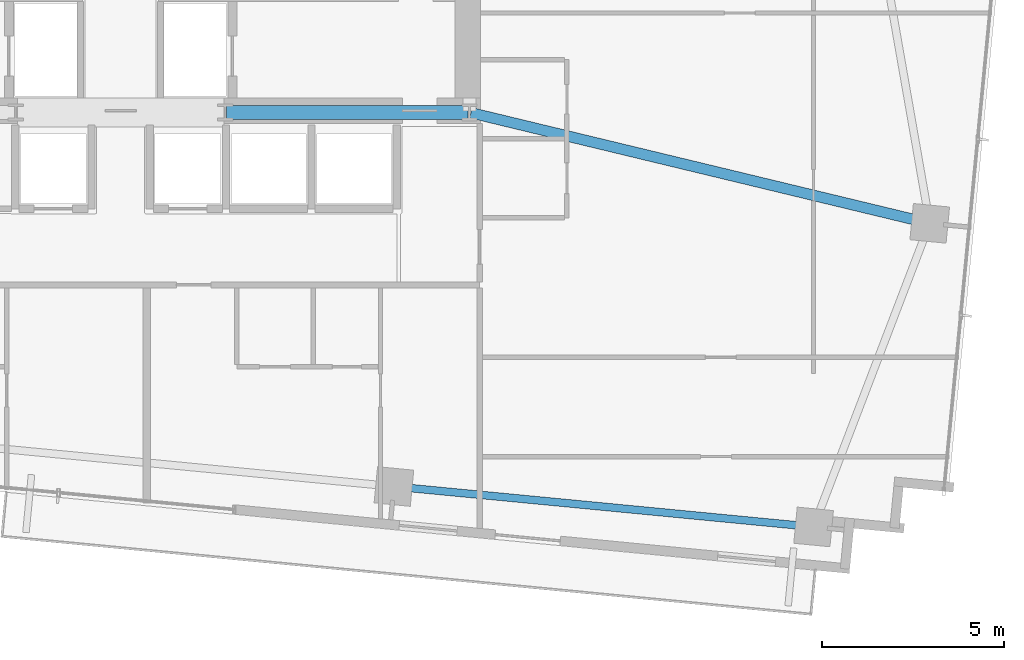
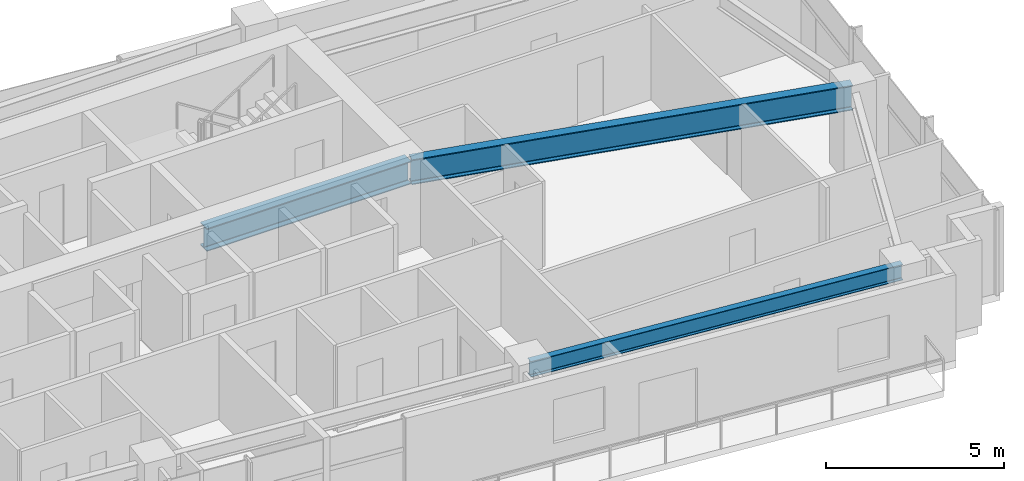
# One storey, part 10 of 20: 3 beams.
"""IFC4 building model written with IfcOpenShell, lengths in metres."""

from ifc_helpers import new_model, si_unit, direction, frame, origin, origin_2d, place, context, subcontext, project, spatial, i_section, extrude, source, transform, mapped, material, material_profile, profile_set, type_object, type_shapes, element, save


model = new_model("IFC4")

# Units and contexts
model_context = context("Model", 3, precision=1e-05, world=origin(), true_north=direction((0.0, 1.0)))
body_context = subcontext(model_context, "Body", "Model", "MODEL_VIEW")
ifc_project = project(units=[si_unit("LENGTHUNIT", "METRE"), si_unit("AREAUNIT", "SQUARE_METRE"), si_unit("VOLUMEUNIT", "CUBIC_METRE"), si_unit("PLANEANGLEUNIT", "RADIAN"), si_unit("MASSUNIT", "GRAM", prefix="KILO")], contexts=[model_context])

# Site, building, storey
site_placement = place(None, origin())
site = spatial("IfcSite", under=ifc_project, at=site_placement, CompositionType="ELEMENT")
building_placement = place(site_placement, origin())
building = spatial("IfcBuilding", under=site, at=building_placement, Name="Astriad Promenade Condominiums", CompositionType="ELEMENT")
storey_placement = place(building_placement, frame((0.0, 0.0, 131.0)))
storey = spatial("IfcBuildingStorey", under=building, at=storey_placement, Name="L37", CompositionType="ELEMENT", Elevation=131.0)

# Beams
ifc_material = material(Name="Steel ASTM A992 Grade 50", Category="steel")
ifc_material_profile_1 = material_profile(ifc_material, i_section(OverallWidth=0.3837890625, OverallDepth=0.785888671875, WebThickness=0.019775390625, FlangeThickness=0.033447265625, FilletRadius=0.021484375, at=origin_2d()), Name="W30X211")
ifc_profile_set_1 = profile_set([ifc_material_profile_1], Name="Steel ASTM A992 Grade 50")
beam_type_1 = type_object("IfcBeamType", Name="STEEL FLOOR GIRDER W30X211", PredefinedType="BEAM", material=ifc_profile_set_1)
shared_shape_1 = source(origin(), body_context, "Body", "SweptSolid", [
    extrude(i_section(OverallWidth=0.3837890625, OverallDepth=0.785888671875, WebThickness=0.019775390625, FlangeThickness=0.033447265625, FilletRadius=0.021484375, at=origin_2d()), origin(), (0.0, 0.0, 1.0), 6.64013671875),
])
type_shapes(beam_type_1, [shared_shape_1])
beam_1_placement = place(storey_placement, frame((38.919921875, 17.39990234375, 2.547119140625), z_axis=(1.0, 0.0, 0.0), x_axis=(0.0, 1.0, 0.0)))
element("IfcBeam", 1, at=beam_1_placement, inside=storey, type_object=beam_type_1, Name="Core Ring Beam CG-S3-L37", PredefinedType="BEAM", context=body_context, shape_type="MappedRepresentation", body=[
    mapped(shared_shape_1, transform((0.0, 0.0, 0.0), scale=1.0)),
])
ifc_material_profile_2 = material_profile(ifc_material, i_section(OverallWidth=0.210693359375, OverallDepth=0.53955078125, WebThickness=0.01171875, FlangeThickness=0.018798828125, FilletRadius=0.0166015625, at=origin_2d()), Name="W21X73")
ifc_profile_set_2 = profile_set([ifc_material_profile_2], Name="Steel ASTM A992 Grade 50")
beam_type_2 = type_object("IfcBeamType", Name="STEEL SPANDREL BEAM W21X73", PredefinedType="SPANDREL", material=ifc_profile_set_2)
shared_shape_2 = source(origin(), body_context, "Body", "SweptSolid", [
    extrude(i_section(OverallWidth=0.210693359375, OverallDepth=0.53955078125, WebThickness=0.01171875, FlangeThickness=0.018798828125, FilletRadius=0.0166015625, at=origin_2d()), origin(), (0.0, 0.0, 1.0), 11.519775390625),
])
type_shapes(beam_type_2, [shared_shape_2])
beam_2_placement = place(storey_placement, frame((43.560302734375, 7.10400390625, 2.67041015625), z_axis=(0.995397217389, -0.095835168988, 0.0), x_axis=(0.095835168988, 0.995397217389, 0.0)))
element("IfcBeam", 2, at=beam_2_placement, inside=storey, type_object=beam_type_2, Name="Perimeter Spandrel Beam SP-S4-L37", PredefinedType="SPANDREL", context=body_context, shape_type="MappedRepresentation", body=[
    mapped(shared_shape_2, transform((0.0, 0.0, 0.0), scale=1.0)),
])
ifc_material_profile_3 = material_profile(ifc_material, i_section(OverallWidth=0.2919921875, OverallDepth=0.85888671875, WebThickness=0.01708984375, FlangeThickness=0.031005859375, FilletRadius=0.02294921875, at=origin_2d()), Name="W33X169")
ifc_profile_set_3 = profile_set([ifc_material_profile_3], Name="Steel ASTM A992 Grade 50")
beam_type_3 = type_object("IfcBeamType", Name="STEEL PRIMARY GIRDER W33X169", PredefinedType="BEAM", material=ifc_profile_set_3)
shared_shape_3 = source(origin(), body_context, "Body", "SweptSolid", [
    extrude(i_section(OverallWidth=0.2919921875, OverallDepth=0.85888671875, WebThickness=0.01708984375, FlangeThickness=0.031005859375, FilletRadius=0.02294921875, at=origin_2d()), origin(), (0.0, 0.0, 1.0), 12.94482421875),
])
type_shapes(beam_type_3, [shared_shape_3])
beam_3_placement = place(storey_placement, frame((58.223388671875, 14.357666015625, 2.510498046875), z_axis=(-0.972164476402, 0.234299446908, 0.0), x_axis=(-0.234299446908, -0.972164476402, 0.0)))
element("IfcBeam", 3, at=beam_3_placement, inside=storey, type_object=beam_type_3, Name="Primary Floor Girder PG-EM-L37", PredefinedType="BEAM", context=body_context, shape_type="MappedRepresentation", body=[
    mapped(shared_shape_3, transform((0.0, 0.0, 0.0), scale=1.0)),
])

save(model, "model.ifc")
